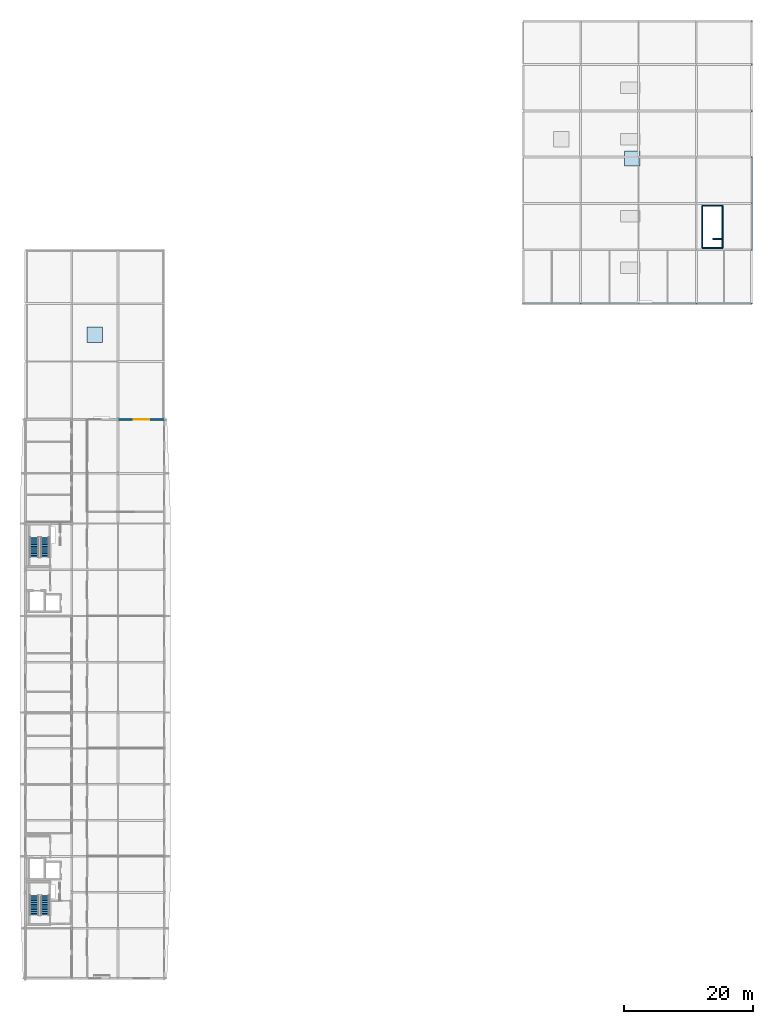
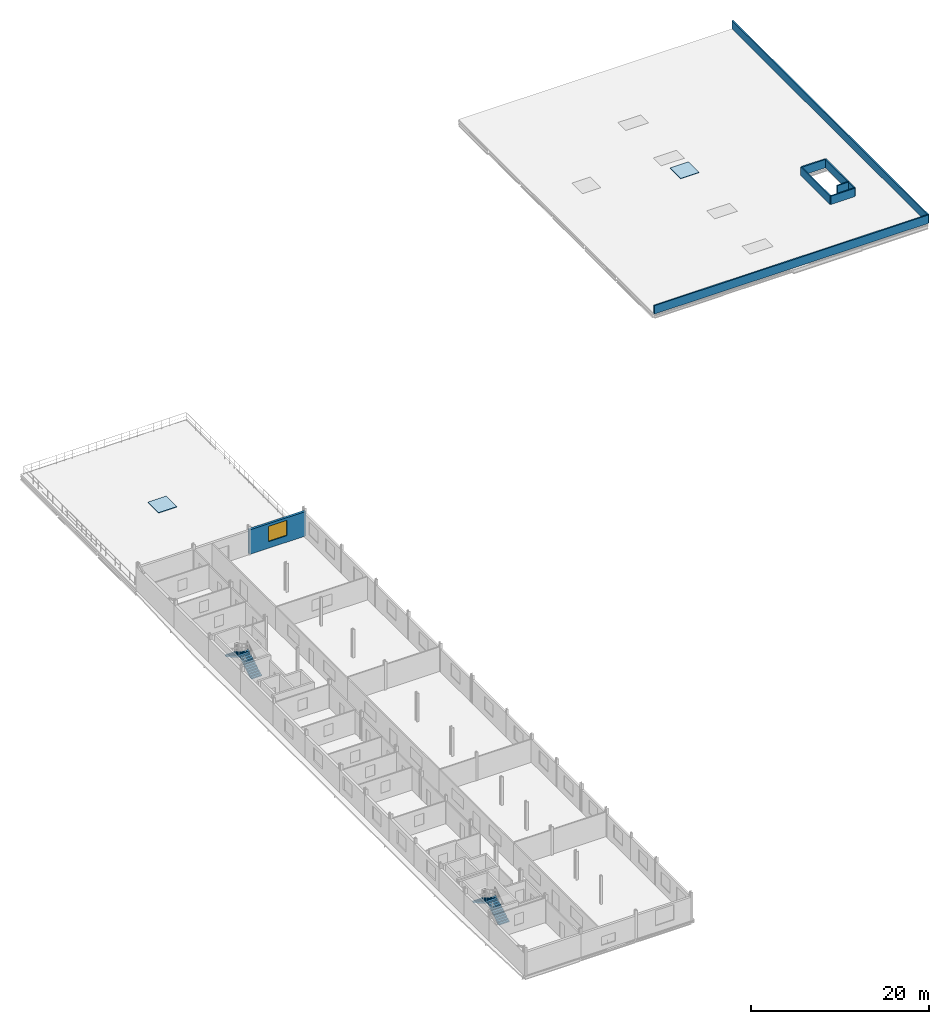
# One storey, part 15 of 17: 8 walls, 4 stair flights, 2 roofs, 1 window, 1 opening, 2 elements without a shape of their own.
"""IFC4 building model written with IfcOpenShell, lengths in metres."""

import ifcopenshell
import ifcopenshell.guid

model = None  # the IFC model being written
_history = None  # IfcOwnerHistory: only IFC2X3 demands one
_inside = {}  # id of a spatial element -> (the spatial element, [elements in it])
_under = {}  # id of a project, library or spatial element -> (it, [spatial elements below it])
_declared = {}  # id of a project -> (the project, [libraries it declares])
_typed = {}  # id of a type object -> (the type object, [elements of that type])
_made_of = {}  # id of a material, layer set ... -> (it, [elements and type objects made of it])


def new_model(schema):
    """Start an empty IFC model of exactly this schema.

    Asked for "IFC4X3", IfcOpenShell would pick the latest addendum, in which some entities
    have other attributes; the version numbers below select the first issue.
    IFC2X3 requires an IfcOwnerHistory on every rooted entity: one is made here for all.
    """
    global model, _history
    if schema == "IFC4X3":
        model = ifcopenshell.file(schema_version=(4, 3, 0, 0))
    else:
        model = ifcopenshell.file(schema=schema)
    _inside.clear()
    _under.clear()
    _declared.clear()
    _typed.clear()
    _made_of.clear()
    _history = None
    if model.schema == "IFC2X3":
        org = make("IfcOrganization", Name="unknown")
        user = make(
            "IfcPersonAndOrganization",
            ThePerson=make("IfcPerson", FamilyName="unknown"),
            TheOrganization=org,
        )
        app = make(
            "IfcApplication",
            ApplicationDeveloper=org,
            Version="unknown",
            ApplicationFullName="unknown",
            ApplicationIdentifier="unknown",
        )
        _history = make(
            "IfcOwnerHistory",
            OwningUser=user,
            OwningApplication=app,
            ChangeAction="ADDED",
            CreationDate=0,
        )
    return model


def make(cls, **values):
    """One entity of the class cls with the attributes given. An attribute that is None is left unset."""
    return model.create_entity(
        cls, **{name: value for name, value in values.items() if value is not None}
    )


def rooted(cls, **values):
    """An entity with a GlobalId (a new one), such as an element, a storey or a relation."""
    return make(cls, GlobalId=ifcopenshell.guid.new(), OwnerHistory=_history, **values)


def si_unit(unit_type, name, prefix=None):
    """IfcSIUnit, for example si_unit("LENGTHUNIT", "METRE", prefix="MILLI")."""
    return make("IfcSIUnit", UnitType=unit_type, Prefix=prefix, Name=name)


def assignment(units):
    """IfcUnitAssignment: the units of a project."""
    return None if units is None else make("IfcUnitAssignment", Units=units)


def point(xyz):
    """IfcCartesianPoint."""
    return None if xyz is None else make("IfcCartesianPoint", Coordinates=xyz)


def direction(xyz):
    """IfcDirection."""
    return None if xyz is None else make("IfcDirection", DirectionRatios=xyz)


def frame(location, z_axis=None, x_axis=None):
    """IfcAxis2Placement3D, a coordinate frame: its origin and axes. An axis left out is left unset."""
    return make(
        "IfcAxis2Placement3D",
        Location=point(location),
        Axis=direction(z_axis),
        RefDirection=direction(x_axis),
    )


def frame_2d(location, x_axis=None):
    """IfcAxis2Placement2D, a coordinate frame in the plane: its origin and x axis."""
    return make(
        "IfcAxis2Placement2D", Location=point(location), RefDirection=direction(x_axis)
    )


def origin():
    """The frame at (0, 0, 0) with its axes left unset."""
    return frame((0.0, 0.0, 0.0))


def origin_2d():
    """The frame at (0, 0) in the plane with its x axis left unset."""
    return frame_2d((0.0, 0.0))


def place(relative_to, where):
    """IfcLocalPlacement: puts the frame where relative to a parent placement (None: the world)."""
    return make(
        "IfcLocalPlacement", PlacementRelTo=relative_to, RelativePlacement=where
    )


def context(
    kind, dimensions, precision=None, world=None, true_north=None, identifier=None
):
    """IfcGeometricRepresentationContext, for example the 3D "Model" context."""
    return make(
        "IfcGeometricRepresentationContext",
        ContextIdentifier=identifier,
        ContextType=kind,
        CoordinateSpaceDimension=dimensions,
        Precision=precision,
        WorldCoordinateSystem=world,
        TrueNorth=true_north,
    )


def subcontext(parent, identifier, kind, view, scale=None):
    """IfcGeometricRepresentationSubContext, for example "Body" below "Model"."""
    return make(
        "IfcGeometricRepresentationSubContext",
        ContextIdentifier=identifier,
        ContextType=kind,
        ParentContext=parent,
        TargetScale=scale,
        TargetView=view,
    )


def project(units=None, contexts=None):
    """IfcProject with its units and contexts."""
    return rooted(
        "IfcProject",
        Name="project",
        RepresentationContexts=contexts,
        UnitsInContext=assignment(units),
    )


def spatial(cls, under=None, at=None, **own):
    """A site, building, storey or space (cls), placed at a placement, below another one or the project."""
    s = rooted(cls, ObjectPlacement=at, **own)
    if under is not None:
        _under.setdefault(under.id(), (under, []))[1].append(s)
    return s


def polyline(points):
    """IfcPolyline through the points."""
    return make("IfcPolyline", Points=[point(p) for p in points])


def profile(cls, at=None, kind="AREA", **sizes):
    """A parametric profile (cls). Its sizes go by their IFC names, for example OverallWidth=200.0."""
    return make(cls, ProfileType=kind, Position=at, **sizes)


def rectangle(**sizes):
    """IfcRectangleProfileDef."""
    return profile("IfcRectangleProfileDef", **sizes)


def outline(outer, holes=None, kind="AREA"):
    """IfcArbitraryClosedProfileDef: a profile drawn as a closed curve; with holes, ...WithVoids."""
    if holes is None:
        return make("IfcArbitraryClosedProfileDef", ProfileType=kind, OuterCurve=outer)
    return make(
        "IfcArbitraryProfileDefWithVoids",
        ProfileType=kind,
        OuterCurve=outer,
        InnerCurves=holes,
    )


def extrude(swept, where, along, depth):
    """IfcExtrudedAreaSolid: the profile swept, set in the frame where, extruded along a direction by depth."""
    return make(
        "IfcExtrudedAreaSolid",
        SweptArea=swept,
        Position=where,
        ExtrudedDirection=direction(along),
        Depth=depth,
    )


def shape(context_of_items, identifier, shape_type, items):
    """IfcShapeRepresentation: the items that make up one representation, for example the "Body"."""
    return make(
        "IfcShapeRepresentation",
        ContextOfItems=context_of_items,
        RepresentationIdentifier=identifier,
        RepresentationType=shape_type,
        Items=items,
    )


def material(Name=None, Category=None):
    """IfcMaterial."""
    return make("IfcMaterial", Name=Name, Category=Category)


def layer(
    of_material, thickness, ventilated=None, Name=None, Category=None, Priority=None
):
    """IfcMaterialLayer: one layer of a wall or slab, of a material (None: an air gap)."""
    return make(
        "IfcMaterialLayer",
        Material=of_material,
        LayerThickness=thickness,
        IsVentilated=ventilated,
        Name=Name,
        Category=Category,
        Priority=Priority,
    )


def layer_set(layers, Name=None):
    """IfcMaterialLayerSet."""
    return make("IfcMaterialLayerSet", MaterialLayers=layers, LayerSetName=Name)


def made_of(thing, what):
    """Note that an element or type object is made of a material, layer set ...; save() writes the relation."""
    if what is not None:
        _made_of.setdefault(what.id(), (what, []))[1].append(thing)
    return thing


def type_object(cls, material=None, **own):
    """A type object (cls), such as IfcWallType, which elements share."""
    return made_of(rooted(cls, **own), material)


def element(
    cls,
    number,
    at=None,
    inside=None,
    cuts=None,
    type_object=None,
    material=None,
    context=None,
    identifier="Body",
    shape_type=None,
    held_by="IfcProductDefinitionShape",
    body=None,
    shapes=None,
    **own,
):
    """One element of the class cls, such as IfcWall. Its Tag is "e" and its number.

    at: its placement. inside: the storey or other place that contains it. cuts: it is an
    opening in that element (IfcRelVoidsElement). A single representation is given by context,
    identifier, shape_type and body (its items); several are given by shapes. held_by: the class
    of the entity that holds the representations. save() writes the other relations.
    """
    e = rooted(cls, Tag="e%d" % number, ObjectPlacement=at, **own)
    if body is not None:
        shapes = [shape(context, identifier, shape_type, body)]
    if shapes is not None:
        e.Representation = make(held_by, Representations=shapes)
    if inside is not None:
        _inside.setdefault(inside.id(), (inside, []))[1].append(e)
    if cuts is not None:
        rooted(
            "IfcRelVoidsElement", RelatingBuildingElement=cuts, RelatedOpeningElement=e
        )
    if type_object is not None:
        _typed.setdefault(type_object.id(), (type_object, []))[1].append(e)
    return made_of(e, material)


def fill(opening, filler):
    """IfcRelFillsElement: the door or window that sits in an opening."""
    return rooted(
        "IfcRelFillsElement",
        RelatingOpeningElement=opening,
        RelatedBuildingElement=filler,
    )


def aggregate(whole, parts):
    """IfcRelAggregates: a whole, such as a stair, and the parts it consists of."""
    return rooted("IfcRelAggregates", RelatingObject=whole, RelatedObjects=parts)


def save(model, path):
    """Write the relations noted so far, then the file.

    IfcRelAggregates (storeys below a building ...), IfcRelContainedInSpatialStructure (elements
    in a storey), IfcRelDefinesByType, IfcRelAssociatesMaterial and IfcRelDeclares: one each for
    every whole, place, type object, material and project.
    """
    for whole, parts in _under.values():
        aggregate(whole, parts)
    for where, things in _inside.values():
        rooted(
            "IfcRelContainedInSpatialStructure",
            RelatedElements=things,
            RelatingStructure=where,
        )
    for kind, things in _typed.values():
        rooted("IfcRelDefinesByType", RelatedObjects=things, RelatingType=kind)
    for what, things in _made_of.values():
        rooted("IfcRelAssociatesMaterial", RelatedObjects=things, RelatingMaterial=what)
    for by, libraries in _declared.values():
        rooted("IfcRelDeclares", RelatingContext=by, RelatedDefinitions=libraries)
    model.write(path)


model = new_model("IFC4")

# Units and contexts
model_context = context("Model", 3, precision=1e-05, world=origin(), true_north=direction((0.0, 1.0)))
body_context = subcontext(model_context, "Body", "Model", "MODEL_VIEW")
ifc_project = project(units=[si_unit("LENGTHUNIT", "METRE"), si_unit("AREAUNIT", "SQUARE_METRE"), si_unit("VOLUMEUNIT", "CUBIC_METRE"), si_unit("PLANEANGLEUNIT", "RADIAN"), si_unit("MASSUNIT", "GRAM", prefix="KILO")], contexts=[model_context])

# Site, building, storey
site_placement = place(None, origin())
site = spatial("IfcSite", under=ifc_project, at=site_placement, CompositionType="ELEMENT")
building_placement = place(site_placement, origin())
building = spatial("IfcBuilding", under=site, at=building_placement, Name="Vinh Khe Railworks Police Headquarters", CompositionType="ELEMENT")
storey_placement = place(building_placement, frame((0.0, 0.0, 24.89990234375)))
storey = spatial("IfcBuildingStorey", under=building, at=storey_placement, Name="L06", CompositionType="ELEMENT", Elevation=24.89990234375)

# Wall, opening, window
ifc_material_1 = material(Name="Clay brickwork", Category="masonry")
ifc_layer_1 = layer(ifc_material_1, 0.300048828125)
ifc_layer_set_1 = layer_set([ifc_layer_1], Name="Clay brickwork")
wall_type_1 = type_object("IfcWallType", Name="EW-BRK-300", PredefinedType="SOLIDWALL", material=ifc_layer_set_1)
wall_1_placement = place(storey_placement, frame((15.0, 104.39990234375, 0.0), z_axis=(0.0, 0.0, 1.0), x_axis=(1.0, 0.0, 0.0)))
wall_1 = element("IfcWall", 1, at=wall_1_placement, inside=storey, type_object=wall_type_1, Name="Exterior Brick Wall EW-L06-V5N-03", PredefinedType="SOLIDWALL", context=body_context, shape_type="SweptSolid", body=[
    extrude(rectangle(XDim=7.35009765625, YDim=0.300048828125, at=frame_2d((3.675048828125, 0.0))), origin(), (0.0, 0.0, 1.0), 3.364990234375),
])
opening_placement = place(wall_1_placement, frame((2.47509765625, 0.0, 0.89990234375)))
opening = element("IfcOpeningElement", 2, at=opening_placement, cuts=wall_1, Name="Opening WN-02", PredefinedType="OPENING", context=body_context, shape_type="SweptSolid", body=[
    extrude(rectangle(XDim=2.39990234375, YDim=2.10009765625, at=frame_2d((1.199951171875, 1.050048828125))), frame((0.0, 0.1650390625, 0.0), z_axis=(0.0, -1.0, 0.0), x_axis=(1.0, 0.0, 0.0)), (0.0, 0.0, 1.0), 0.329833984375),
])
ifc_material_2 = material(Name="Double-glazed solar-control glass in dark steel frame", Category="steel")
window_type = type_object("IfcWindowType", Name="WIN-WN-02", PartitioningType="DOUBLE_PANEL_VERTICAL", PredefinedType="WINDOW", material=ifc_material_2)
window_placement = place(opening_placement, origin())
window = element("IfcWindow", 3, at=window_placement, inside=storey, type_object=window_type, Name="Casement Window WN-02", OverallHeight=2.10009765625, OverallWidth=2.39990234375, PartitioningType="SINGLE_PANEL", PredefinedType="WINDOW", context=body_context, shape_type="SweptSolid", body=[
    extrude(rectangle(XDim=2.39990234375, YDim=2.10009765625, at=frame_2d((1.199951171875, 1.050048828125))), frame((0.0, 0.030029296875, 0.0), z_axis=(0.0, -1.0, 0.0), x_axis=(1.0, 0.0, 0.0)), (0.0, 0.0, 1.0), 0.06005859375),
])
fill(opening, window)

# Walls
ifc_material_3 = material(Name="Precast concrete C40/50 (B40)", Category="concrete")
ifc_layer_2 = layer(ifc_material_3, 0.179931640625)
ifc_layer_set_2 = layer_set([ifc_layer_2], Name="Precast concrete C40/50 (B40)")
wall_type_2 = type_object("IfcWallType", Name="EW-PAR-180", PredefinedType="PARAPET", material=ifc_layer_set_2)
wall_2_placement = place(storey_placement, frame((78.0, 122.39990234375, 0.0), z_axis=(0.0, 0.0, 1.0), x_axis=(1.0, 0.0, 0.0)))
element("IfcWall", 4, at=wall_2_placement, inside=storey, type_object=wall_type_2, Name="Roof Parapet Wall L06-06", PredefinedType="PARAPET", context=body_context, shape_type="SweptSolid", body=[
    extrude(rectangle(XDim=35.60009765625, YDim=0.179931640625, at=frame_2d((17.800048828125, 0.0))), origin(), (0.0, 0.0, 1.0), 1.150146484375),
])
wall_3_placement = place(storey_placement, frame((113.60009765625, 122.39990234375, 0.0), z_axis=(0.0, 0.0, 1.0), x_axis=(0.0, 1.0, 0.0)))
element("IfcWall", 5, at=wall_3_placement, inside=storey, type_object=wall_type_2, Name="Roof Parapet Wall L06-07", PredefinedType="PARAPET", context=body_context, shape_type="SweptSolid", body=[
    extrude(rectangle(XDim=44.0, YDim=0.179931640625, at=frame_2d((22.0, 0.0))), origin(), (0.0, 0.0, 1.0), 1.150146484375),
])
for number, where, z_axis, x_axis, name in (
    (6, (105.919921875, 131.070068359375, 0.0), (0.0, 0.0, 1.0), (0.0, 1.0, 0.0), "Core C3 Roof Well Parapet Curb W"),
    (7, (109.080078125, 131.070068359375, 0.0), (0.0, 0.0, 1.0), (0.0, 1.0, 0.0), "Core C3 Roof Well Parapet Curb E"),
):
    element("IfcWall", number, at=place(storey_placement, frame(where, z_axis=z_axis, x_axis=x_axis)), inside=storey, type_object=wall_type_2, Name=name, PredefinedType="PARAPET", context=body_context, shape_type="SweptSolid", body=[
        extrude(rectangle(XDim=6.559814453125, YDim=0.179931640625, at=frame_2d((3.27978515625, 0.0))), origin(), (0.0, 0.0, 1.0), 1.150146484375),
    ])
for number, where, z_axis, x_axis, name in (
    (8, (105.919921875, 137.6298828125, 0.0), (0.0, 0.0, 1.0), (1.0, 0.0, 0.0), "Core C3 Roof Well Parapet Curb N"),
    (9, (105.919921875, 131.070068359375, 0.0), (0.0, 0.0, 1.0), (1.0, 0.0, 0.0), "Core C3 Roof Well Parapet Curb S"),
):
    element("IfcWall", number, at=place(storey_placement, frame(where, z_axis=z_axis, x_axis=x_axis)), inside=storey, type_object=wall_type_2, Name=name, PredefinedType="PARAPET", context=body_context, shape_type="SweptSolid", body=[
        extrude(rectangle(XDim=3.16015625, YDim=0.179931640625, at=frame_2d((1.580078125, 0.0))), origin(), (0.0, 0.0, 1.0), 1.150146484375),
    ])
wall_4_placement = place(storey_placement, frame((107.590087890625, 132.47998046875, 0.0), z_axis=(0.0, 0.0, 1.0), x_axis=(1.0, 0.0, 0.0)))
element("IfcWall", 10, at=wall_4_placement, inside=storey, type_object=wall_type_2, Name="Core C3 Roof Well Parapet Curb LAND", PredefinedType="PARAPET", context=body_context, shape_type="SweptSolid", body=[
    extrude(rectangle(XDim=1.489990234375, YDim=0.179931640625, at=frame_2d((0.7451171875, 0.0))), origin(), (0.0, 0.0, 1.0), 1.150146484375),
])

# Stair, stair flights
stair_type = type_object("IfcStairType", Name="ST-CORE-DOGLEG", PredefinedType="HALF_TURN_STAIR", material=ifc_material_3)
stair_1_placement = place(storey_placement, origin())
stair_1 = element("IfcStair", 11, at=stair_1_placement, inside=storey, type_object=stair_type, Name="L06 Escape Stair ST-01", PredefinedType="HALF_TURN_STAIR")
stair_flight_type = type_object("IfcStairFlightType", Name="STF-PRECAST-1350", PredefinedType="STRAIGHT", material=ifc_material_3)
stair_flight_1_placement = place(storey_placement, frame((3.625, 27.25, 0.0), z_axis=(0.0, 0.0, 1.0), x_axis=(0.0, 1.0, 0.0)))
stair_flight_1 = element("IfcStairFlight", 12, at=stair_flight_1_placement, type_object=stair_flight_type, Name="ST-01 flight 1", NumberOfRisers=12, NumberOfTreads=11, PredefinedType="STRAIGHT", RiserHeight=0.1625, TreadLength=0.28, context=body_context, shape_type="SweptSolid", body=[
    extrude(outline(polyline([(0.0, 0.0), (0.0, 0.16259765625), (0.280029296875, 0.16259765625), (0.280029296875, 0.324951171875), (0.56005859375, 0.324951171875), (0.56005859375, 0.487548828125), (0.840087890625, 0.487548828125), (0.840087890625, 0.64990234375), (1.1201171875, 0.64990234375), (1.1201171875, 0.8125), (1.39990234375, 0.8125), (1.39990234375, 0.97509765625), (1.679931640625, 0.97509765625), (1.679931640625, 1.137451171875), (1.9599609375, 1.137451171875), (1.9599609375, 1.300048828125), (2.239990234375, 1.300048828125), (2.239990234375, 1.46240234375), (2.52001953125, 1.46240234375), (2.52001953125, 1.625), (2.800048828125, 1.625), (2.800048828125, 1.78759765625), (3.080078125, 1.78759765625), (3.080078125, 1.949951171875), (3.080078125, 1.6142578125), (0.298583984375, 0.0), (0.0, 0.0)])), frame((0.0, 0.675048828125, 0.0), z_axis=(0.0, -1.0, 0.0), x_axis=(1.0, 0.0, 0.0)), (0.0, 0.0, 1.0), 1.35009765625),
])
stair_flight_2_placement = place(storey_placement, frame((1.97509765625, 30.330078125, 1.9501953125), z_axis=(0.0, 0.0, 1.0), x_axis=(0.0, -1.0, 0.0)))
stair_flight_2 = element("IfcStairFlight", 13, at=stair_flight_2_placement, type_object=stair_flight_type, Name="ST-01 flight 2", NumberOfRisers=12, NumberOfTreads=11, PredefinedType="STRAIGHT", RiserHeight=0.1625, TreadLength=0.28, context=body_context, shape_type="SweptSolid", body=[
    extrude(outline(polyline([(0.0, 0.0), (0.0, 0.16259765625), (0.280029296875, 0.16259765625), (0.280029296875, 0.324951171875), (0.56005859375, 0.324951171875), (0.56005859375, 0.487548828125), (0.840087890625, 0.487548828125), (0.840087890625, 0.64990234375), (1.1201171875, 0.64990234375), (1.1201171875, 0.8125), (1.39990234375, 0.8125), (1.39990234375, 0.97509765625), (1.679931640625, 0.97509765625), (1.679931640625, 1.137451171875), (1.9599609375, 1.137451171875), (1.9599609375, 1.300048828125), (2.239990234375, 1.300048828125), (2.239990234375, 1.46240234375), (2.52001953125, 1.46240234375), (2.52001953125, 1.625), (2.800048828125, 1.625), (2.800048828125, 1.78759765625), (3.080078125, 1.78759765625), (3.080078125, 1.949951171875), (3.080078125, 1.6142578125), (0.298583984375, 0.0), (0.0, 0.0)])), frame((0.0, 0.675048828125, 0.0), z_axis=(0.0, -1.0, 0.0), x_axis=(1.0, 0.0, 0.0)), (0.0, 0.0, 1.0), 1.35009765625),
])
aggregate(stair_1, [stair_flight_1, stair_flight_2])

stair_2_placement = place(storey_placement, origin())
stair_2 = element("IfcStair", 14, at=stair_2_placement, inside=storey, type_object=stair_type, Name="L06 Escape Stair ST-02", PredefinedType="HALF_TURN_STAIR")
stair_flight_3_placement = place(storey_placement, frame((3.625, 82.949951171875, 0.0), z_axis=(0.0, 0.0, 1.0), x_axis=(0.0, 1.0, 0.0)))
stair_flight_3 = element("IfcStairFlight", 15, at=stair_flight_3_placement, type_object=stair_flight_type, Name="ST-02 flight 1", NumberOfRisers=12, NumberOfTreads=11, PredefinedType="STRAIGHT", RiserHeight=0.1625, TreadLength=0.28, context=body_context, shape_type="SweptSolid", body=[
    extrude(outline(polyline([(0.0, 0.0), (0.0, 0.16259765625), (0.280029296875, 0.16259765625), (0.280029296875, 0.324951171875), (0.56005859375, 0.324951171875), (0.56005859375, 0.487548828125), (0.840087890625, 0.487548828125), (0.840087890625, 0.64990234375), (1.1201171875, 0.64990234375), (1.1201171875, 0.8125), (1.39990234375, 0.8125), (1.39990234375, 0.97509765625), (1.679931640625, 0.97509765625), (1.679931640625, 1.137451171875), (1.9599609375, 1.137451171875), (1.9599609375, 1.300048828125), (2.239990234375, 1.300048828125), (2.239990234375, 1.46240234375), (2.52001953125, 1.46240234375), (2.52001953125, 1.625), (2.800048828125, 1.625), (2.800048828125, 1.78759765625), (3.080078125, 1.78759765625), (3.080078125, 1.949951171875), (3.080078125, 1.6142578125), (0.298583984375, 0.0), (0.0, 0.0)])), frame((0.0, 0.675048828125, 0.0), z_axis=(0.0, -1.0, 0.0), x_axis=(1.0, 0.0, 0.0)), (0.0, 0.0, 1.0), 1.35009765625),
])
stair_flight_4_placement = place(storey_placement, frame((1.97509765625, 86.030029296875, 1.9501953125), z_axis=(0.0, 0.0, 1.0), x_axis=(0.0, -1.0, 0.0)))
stair_flight_4 = element("IfcStairFlight", 16, at=stair_flight_4_placement, type_object=stair_flight_type, Name="ST-02 flight 2", NumberOfRisers=12, NumberOfTreads=11, PredefinedType="STRAIGHT", RiserHeight=0.1625, TreadLength=0.28, context=body_context, shape_type="SweptSolid", body=[
    extrude(outline(polyline([(0.0, 0.0), (0.0, 0.16259765625), (0.280029296875, 0.16259765625), (0.280029296875, 0.324951171875), (0.56005859375, 0.324951171875), (0.56005859375, 0.487548828125), (0.840087890625, 0.487548828125), (0.840087890625, 0.64990234375), (1.1201171875, 0.64990234375), (1.1201171875, 0.8125), (1.39990234375, 0.8125), (1.39990234375, 0.97509765625), (1.679931640625, 0.97509765625), (1.679931640625, 1.137451171875), (1.9599609375, 1.137451171875), (1.9599609375, 1.300048828125), (2.239990234375, 1.300048828125), (2.239990234375, 1.46240234375), (2.52001953125, 1.46240234375), (2.52001953125, 1.625), (2.800048828125, 1.625), (2.800048828125, 1.78759765625), (3.080078125, 1.78759765625), (3.080078125, 1.949951171875), (3.080078125, 1.6142578125), (0.298583984375, 0.0), (0.0, 0.0)])), frame((0.0, 0.675048828125, 0.0), z_axis=(0.0, -1.0, 0.0), x_axis=(1.0, 0.0, 0.0)), (0.0, 0.0, 1.0), 1.35009765625),
])
aggregate(stair_2, [stair_flight_3, stair_flight_4])

# Roofs
ifc_material_4 = material(Name="Concrete C35/45 (B35)", Category="concrete")
ifc_layer_3 = layer(ifc_material_4, 0.080078125)
ifc_layer_set_3 = layer_set([ifc_layer_3], Name="Concrete C35/45 (B35)")
roof_type = type_object("IfcRoofType", Name="Flat Roof Weathering Cap Assembly", PredefinedType="FLAT_ROOF", material=ifc_layer_set_3)
for number, where, z_axis, x_axis, name in (
    (17, (95.0, 145.0, -0.02001953125), (0.0, 0.0, 1.0), (1.0, 0.0, 0.0), "Flat Roof Weathering Cap ROOF-CAP-V6B"),
    (18, (11.39990234375, 117.60009765625, -0.02001953125), (0.0, 0.0, 1.0), (1.0, 0.0, 0.0), "Flat Roof Weathering Cap ROOF-CAP-V5N"),
):
    element("IfcRoof", number, at=place(storey_placement, frame(where, z_axis=z_axis, x_axis=x_axis)), inside=storey, type_object=roof_type, Name=name, PredefinedType="FLAT_ROOF", context=body_context, shape_type="SweptSolid", body=[
        extrude(rectangle(XDim=2.39990234375, YDim=2.39990234375, at=origin_2d()), origin(), (0.0, 0.0, 1.0), 0.080078125),
    ])

save(model, "model.ifc")
